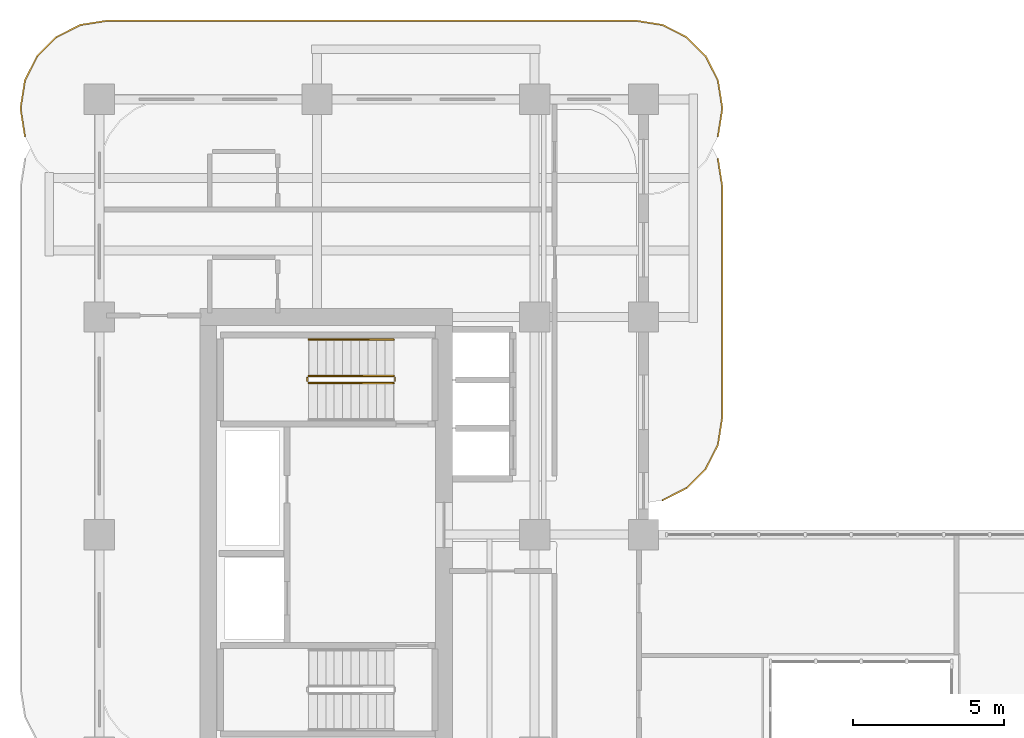
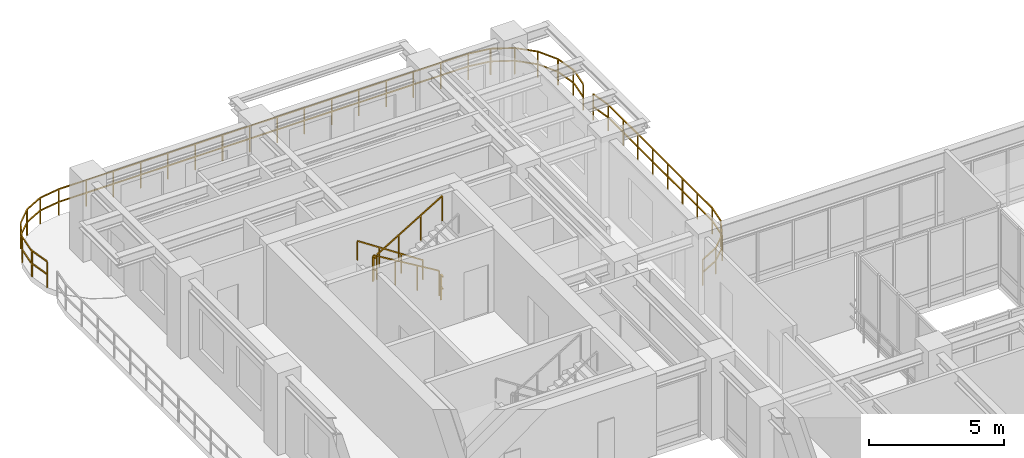
# One storey, part 20 of 20: 7 railings.
"""IFC4 building model written with IfcOpenShell, lengths in metres."""

from ifc_helpers import new_model, si_unit, derived_unit, direction, frame, origin, origin_2d, place, context, subcontext, project, spatial, rectangle, extrude, material, type_object, element, save


model = new_model("IFC4")

# Units and contexts
model_context = context("Model", 3, precision=1e-05, world=origin(), true_north=direction((0.0, 1.0)))
body_context = subcontext(model_context, "Body", "Model", "MODEL_VIEW")
ifc_project = project(units=[si_unit("LENGTHUNIT", "METRE"), si_unit("AREAUNIT", "SQUARE_METRE"), si_unit("VOLUMEUNIT", "CUBIC_METRE"), si_unit("PLANEANGLEUNIT", "RADIAN"), si_unit("MASSUNIT", "GRAM", prefix="KILO"), si_unit("THERMODYNAMICTEMPERATUREUNIT", "KELVIN"), si_unit("POWERUNIT", "WATT"), derived_unit("THERMALTRANSMITTANCEUNIT", [(si_unit("POWERUNIT", "WATT"), 1), (si_unit("AREAUNIT", "SQUARE_METRE"), -1), (si_unit("THERMODYNAMICTEMPERATUREUNIT", "KELVIN"), -1)])], contexts=[model_context])

# Site, building, storey
site_placement = place(None, origin())
site = spatial("IfcSite", under=ifc_project, at=site_placement, CompositionType="ELEMENT")
building_placement = place(site_placement, origin())
building = spatial("IfcBuilding", under=site, at=building_placement, Name="Zahravan Archway Hotel and Residences", CompositionType="ELEMENT")
storey_placement = place(building_placement, frame((0.0, 0.0, 122.89990234375)))
storey = spatial("IfcBuildingStorey", under=building, at=storey_placement, Name="L30", CompositionType="ELEMENT", Elevation=122.89990234375)

# Railings
ifc_material_1 = material(Name="Bronze & Laminated Glass Balustrade", Category="glass")
railing_type_1 = type_object("IfcRailingType", Name="RL-BAL-1200", PredefinedType="BALUSTRADE", material=ifc_material_1)
railing_1_placement = place(storey_placement, frame((-2.46044921875, 45.5693359375, 0.0)))
element("IfcRailing", 1, at=railing_1_placement, inside=storey, type_object=railing_type_1, Name="L30 Balustrade RL-SLB-BAL-L30-NB-1", PredefinedType="BALUSTRADE", context=body_context, shape_type="SweptSolid", body=[
    extrude(rectangle(XDim=0.048095703125, YDim=0.048095703125, at=origin_2d()), frame((0.0, 0.0, 1.17578125), z_axis=(-0.156623399917, 0.987658397726, 0.0), x_axis=(-0.987658397726, -0.156623399917, 0.0)), (0.0, 0.0, 1.0), 0.8916015625),
    extrude(rectangle(XDim=0.048095703125, YDim=0.048095703125, at=origin_2d()), frame((0.0, 0.0, 0.60009765625), z_axis=(-0.156623399917, 0.987658397726, 0.0), x_axis=(-0.987658397726, -0.156623399917, 0.0)), (0.0, 0.0, 1.0), 0.8916015625),
    extrude(rectangle(XDim=0.048095703125, YDim=0.048095703125, at=origin_2d()), frame((-0.1396484375, 0.880615234375, 1.17578125), z_axis=(0.0, 1.0, 0.0), x_axis=(-1.0, 0.0, 0.0)), (0.0, 0.0, 1.0), 0.10009765625),
    extrude(rectangle(XDim=0.048095703125, YDim=0.048095703125, at=origin_2d()), frame((-0.1396484375, 0.880615234375, 0.60009765625), z_axis=(0.0, 1.0, 0.0), x_axis=(-1.0, 0.0, 0.0)), (0.0, 0.0, 1.0), 0.10009765625),
    extrude(rectangle(XDim=0.048095703125, YDim=0.048095703125, at=origin_2d()), frame((-0.1396484375, 0.980712890625, 1.17578125), z_axis=(0.156623399917, 0.987658397726, 0.0), x_axis=(-0.987658397726, 0.156623399917, 0.0)), (0.0, 0.0, 1.0), 0.8916015625),
    extrude(rectangle(XDim=0.048095703125, YDim=0.048095703125, at=origin_2d()), frame((-0.1396484375, 0.980712890625, 0.60009765625), z_axis=(0.156623399917, 0.987658397726, 0.0), x_axis=(-0.987658397726, 0.156623399917, 0.0)), (0.0, 0.0, 1.0), 0.8916015625),
    extrude(rectangle(XDim=0.048095703125, YDim=0.048095703125, at=origin_2d()), frame((0.0, 1.861328125, 1.17578125), z_axis=(0.453991409995, 0.891006060389, 0.0), x_axis=(-0.891006060389, 0.453991409995, 0.0)), (0.0, 0.0, 1.0), 0.8916015625),
    extrude(rectangle(XDim=0.048095703125, YDim=0.048095703125, at=origin_2d()), frame((0.0, 1.861328125, 0.60009765625), z_axis=(0.453991409995, 0.891006060389, 0.0), x_axis=(-0.891006060389, 0.453991409995, 0.0)), (0.0, 0.0, 1.0), 0.8916015625),
    extrude(rectangle(XDim=0.048095703125, YDim=0.048095703125, at=origin_2d()), frame((0.40478515625, 2.65576171875, 1.17578125), z_axis=(0.706969864397, 0.70724367147, 0.0), x_axis=(-0.70724367147, 0.706969864397, 0.0)), (0.0, 0.0, 1.0), 0.8916015625),
    extrude(rectangle(XDim=0.048095703125, YDim=0.048095703125, at=origin_2d()), frame((0.40478515625, 2.65576171875, 0.60009765625), z_axis=(0.706969864397, 0.70724367147, 0.0), x_axis=(-0.70724367147, 0.706969864397, 0.0)), (0.0, 0.0, 1.0), 0.8916015625),
    extrude(rectangle(XDim=0.048095703125, YDim=0.048095703125, at=origin_2d()), frame((1.03515625, 3.286376953125, 1.17578125), z_axis=(0.891062476022, 0.45388067135, 0.0), x_axis=(-0.45388067135, 0.891062476022, 0.0)), (0.0, 0.0, 1.0), 0.891845703125),
    extrude(rectangle(XDim=0.048095703125, YDim=0.048095703125, at=origin_2d()), frame((1.03515625, 3.286376953125, 0.60009765625), z_axis=(0.891062476022, 0.45388067135, 0.0), x_axis=(-0.45388067135, 0.891062476022, 0.0)), (0.0, 0.0, 1.0), 0.891845703125),
    extrude(rectangle(XDim=0.048095703125, YDim=0.048095703125, at=origin_2d()), frame((1.829833984375, 3.691162109375, 1.17578125), z_axis=(0.987700720307, 0.156356282588, 0.0), x_axis=(-0.156356282588, 0.987700720307, 0.0)), (0.0, 0.0, 1.0), 0.8916015625),
    extrude(rectangle(XDim=0.048095703125, YDim=0.048095703125, at=origin_2d()), frame((1.829833984375, 3.691162109375, 0.60009765625), z_axis=(0.987700720307, 0.156356282588, 0.0), x_axis=(-0.156356282588, 0.987700720307, 0.0)), (0.0, 0.0, 1.0), 0.8916015625),
    extrude(rectangle(XDim=0.048095703125, YDim=0.048095703125, at=origin_2d()), frame((2.71044921875, 3.83056640625, 1.17578125), z_axis=(1.0, 0.0, 0.0), x_axis=(0.0, 1.0, 0.0)), (0.0, 0.0, 1.0), 17.5),
    extrude(rectangle(XDim=0.048095703125, YDim=0.048095703125, at=origin_2d()), frame((2.71044921875, 3.83056640625, 0.60009765625), z_axis=(1.0, 0.0, 0.0), x_axis=(0.0, 1.0, 0.0)), (0.0, 0.0, 1.0), 17.5),
    extrude(rectangle(XDim=0.048095703125, YDim=0.048095703125, at=origin_2d()), frame((20.21044921875, 3.83056640625, 1.17578125), z_axis=(0.987700720307, -0.156356282588, 0.0), x_axis=(0.156356282588, 0.987700720307, 0.0)), (0.0, 0.0, 1.0), 0.8916015625),
    extrude(rectangle(XDim=0.048095703125, YDim=0.048095703125, at=origin_2d()), frame((20.21044921875, 3.83056640625, 0.60009765625), z_axis=(0.987700720307, -0.156356282588, 0.0), x_axis=(0.156356282588, 0.987700720307, 0.0)), (0.0, 0.0, 1.0), 0.8916015625),
    extrude(rectangle(XDim=0.048095703125, YDim=0.048095703125, at=origin_2d()), frame((21.091064453125, 3.691162109375, 1.17578125), z_axis=(0.891062476022, -0.45388067135, 0.0), x_axis=(0.45388067135, 0.891062476022, 0.0)), (0.0, 0.0, 1.0), 0.891845703125),
    extrude(rectangle(XDim=0.048095703125, YDim=0.048095703125, at=origin_2d()), frame((21.091064453125, 3.691162109375, 0.60009765625), z_axis=(0.891062476022, -0.45388067135, 0.0), x_axis=(0.45388067135, 0.891062476022, 0.0)), (0.0, 0.0, 1.0), 0.891845703125),
    extrude(rectangle(XDim=0.048095703125, YDim=0.048095703125, at=origin_2d()), frame((21.8857421875, 3.286376953125, 1.17578125), z_axis=(0.706969864397, -0.70724367147, 0.0), x_axis=(0.70724367147, 0.706969864397, 0.0)), (0.0, 0.0, 1.0), 0.8916015625),
    extrude(rectangle(XDim=0.048095703125, YDim=0.048095703125, at=origin_2d()), frame((21.8857421875, 3.286376953125, 0.60009765625), z_axis=(0.706969864397, -0.70724367147, 0.0), x_axis=(0.70724367147, 0.706969864397, 0.0)), (0.0, 0.0, 1.0), 0.8916015625),
    extrude(rectangle(XDim=0.048095703125, YDim=0.048095703125, at=origin_2d()), frame((22.51611328125, 2.65576171875, 1.17578125), z_axis=(0.453991409995, -0.891006060389, 0.0), x_axis=(0.891006060389, 0.453991409995, 0.0)), (0.0, 0.0, 1.0), 0.8916015625),
    extrude(rectangle(XDim=0.048095703125, YDim=0.048095703125, at=origin_2d()), frame((22.51611328125, 2.65576171875, 0.60009765625), z_axis=(0.453991409995, -0.891006060389, 0.0), x_axis=(0.891006060389, 0.453991409995, 0.0)), (0.0, 0.0, 1.0), 0.8916015625),
    extrude(rectangle(XDim=0.048095703125, YDim=0.048095703125, at=origin_2d()), frame((22.9208984375, 1.861328125, 1.17578125), z_axis=(0.156623399917, -0.987658397726, 0.0), x_axis=(0.987658397726, 0.156623399917, 0.0)), (0.0, 0.0, 1.0), 0.8916015625),
    extrude(rectangle(XDim=0.048095703125, YDim=0.048095703125, at=origin_2d()), frame((22.9208984375, 1.861328125, 0.60009765625), z_axis=(0.156623399917, -0.987658397726, 0.0), x_axis=(0.987658397726, 0.156623399917, 0.0)), (0.0, 0.0, 1.0), 0.8916015625),
    extrude(rectangle(XDim=0.048095703125, YDim=0.048095703125, at=origin_2d()), frame((23.060546875, 0.980712890625, 1.17578125), z_axis=(0.0, -1.0, 0.0), x_axis=(1.0, 0.0, 0.0)), (0.0, 0.0, 1.0), 0.10009765625),
    extrude(rectangle(XDim=0.048095703125, YDim=0.048095703125, at=origin_2d()), frame((23.060546875, 0.980712890625, 0.60009765625), z_axis=(0.0, -1.0, 0.0), x_axis=(1.0, 0.0, 0.0)), (0.0, 0.0, 1.0), 0.10009765625),
    extrude(rectangle(XDim=0.048095703125, YDim=0.048095703125, at=origin_2d()), frame((23.060546875, 0.880615234375, 1.17578125), z_axis=(-0.156623399917, -0.987658397726, 0.0), x_axis=(0.987658397726, -0.156623399917, 0.0)), (0.0, 0.0, 1.0), 0.8916015625),
    extrude(rectangle(XDim=0.048095703125, YDim=0.048095703125, at=origin_2d()), frame((23.060546875, 0.880615234375, 0.60009765625), z_axis=(-0.156623399917, -0.987658397726, 0.0), x_axis=(0.987658397726, -0.156623399917, 0.0)), (0.0, 0.0, 1.0), 0.8916015625),
    extrude(rectangle(XDim=0.0419921875, YDim=0.0419921875, at=origin_2d()), origin(), (0.0, 0.0, 1.0), 1.15185546875),
    extrude(rectangle(XDim=0.0419921875, YDim=0.0419921875, at=origin_2d()), frame((-0.1396484375, 0.880615234375, 0.0)), (0.0, 0.0, 1.0), 1.15185546875),
    extrude(rectangle(XDim=0.0419921875, YDim=0.0419921875, at=origin_2d()), frame((0.0, 1.861328125, 0.0)), (0.0, 0.0, 1.0), 1.15185546875),
    extrude(rectangle(XDim=0.0419921875, YDim=0.0419921875, at=origin_2d()), frame((0.40478515625, 2.65576171875, 0.0)), (0.0, 0.0, 1.0), 1.15185546875),
    extrude(rectangle(XDim=0.0419921875, YDim=0.0419921875, at=origin_2d()), frame((1.03515625, 3.286376953125, 0.0)), (0.0, 0.0, 1.0), 1.15185546875),
    extrude(rectangle(XDim=0.0419921875, YDim=0.0419921875, at=origin_2d()), frame((1.829833984375, 3.691162109375, 0.0)), (0.0, 0.0, 1.0), 1.15185546875),
    extrude(rectangle(XDim=0.0419921875, YDim=0.0419921875, at=origin_2d()), frame((2.71044921875, 3.83056640625, 0.0)), (0.0, 0.0, 1.0), 1.15185546875),
    extrude(rectangle(XDim=0.0419921875, YDim=0.0419921875, at=origin_2d()), frame((3.877197265625, 3.83056640625, 0.0)), (0.0, 0.0, 1.0), 1.15185546875),
    extrude(rectangle(XDim=0.0419921875, YDim=0.0419921875, at=origin_2d()), frame((5.043701171875, 3.83056640625, 0.0)), (0.0, 0.0, 1.0), 1.15185546875),
    extrude(rectangle(XDim=0.0419921875, YDim=0.0419921875, at=origin_2d()), frame((6.21044921875, 3.83056640625, 0.0)), (0.0, 0.0, 1.0), 1.15185546875),
    extrude(rectangle(XDim=0.0419921875, YDim=0.0419921875, at=origin_2d()), frame((7.377197265625, 3.83056640625, 0.0)), (0.0, 0.0, 1.0), 1.15185546875),
    extrude(rectangle(XDim=0.0419921875, YDim=0.0419921875, at=origin_2d()), frame((8.543701171875, 3.83056640625, 0.0)), (0.0, 0.0, 1.0), 1.15185546875),
    extrude(rectangle(XDim=0.0419921875, YDim=0.0419921875, at=origin_2d()), frame((9.71044921875, 3.83056640625, 0.0)), (0.0, 0.0, 1.0), 1.15185546875),
    extrude(rectangle(XDim=0.0419921875, YDim=0.0419921875, at=origin_2d()), frame((10.877197265625, 3.83056640625, 0.0)), (0.0, 0.0, 1.0), 1.15185546875),
    extrude(rectangle(XDim=0.0419921875, YDim=0.0419921875, at=origin_2d()), frame((12.043701171875, 3.83056640625, 0.0)), (0.0, 0.0, 1.0), 1.15185546875),
    extrude(rectangle(XDim=0.0419921875, YDim=0.0419921875, at=origin_2d()), frame((13.21044921875, 3.83056640625, 0.0)), (0.0, 0.0, 1.0), 1.15185546875),
    extrude(rectangle(XDim=0.0419921875, YDim=0.0419921875, at=origin_2d()), frame((14.377197265625, 3.83056640625, 0.0)), (0.0, 0.0, 1.0), 1.15185546875),
    extrude(rectangle(XDim=0.0419921875, YDim=0.0419921875, at=origin_2d()), frame((15.543701171875, 3.83056640625, 0.0)), (0.0, 0.0, 1.0), 1.15185546875),
    extrude(rectangle(XDim=0.0419921875, YDim=0.0419921875, at=origin_2d()), frame((16.71044921875, 3.83056640625, 0.0)), (0.0, 0.0, 1.0), 1.15185546875),
    extrude(rectangle(XDim=0.0419921875, YDim=0.0419921875, at=origin_2d()), frame((17.877197265625, 3.83056640625, 0.0)), (0.0, 0.0, 1.0), 1.15185546875),
    extrude(rectangle(XDim=0.0419921875, YDim=0.0419921875, at=origin_2d()), frame((19.043701171875, 3.83056640625, 0.0)), (0.0, 0.0, 1.0), 1.15185546875),
    extrude(rectangle(XDim=0.0419921875, YDim=0.0419921875, at=origin_2d()), frame((20.21044921875, 3.83056640625, 0.0)), (0.0, 0.0, 1.0), 1.15185546875),
    extrude(rectangle(XDim=0.0419921875, YDim=0.0419921875, at=origin_2d()), frame((21.091064453125, 3.691162109375, 0.0)), (0.0, 0.0, 1.0), 1.15185546875),
    extrude(rectangle(XDim=0.0419921875, YDim=0.0419921875, at=origin_2d()), frame((21.8857421875, 3.286376953125, 0.0)), (0.0, 0.0, 1.0), 1.15185546875),
    extrude(rectangle(XDim=0.0419921875, YDim=0.0419921875, at=origin_2d()), frame((22.51611328125, 2.65576171875, 0.0)), (0.0, 0.0, 1.0), 1.15185546875),
    extrude(rectangle(XDim=0.0419921875, YDim=0.0419921875, at=origin_2d()), frame((22.9208984375, 1.861328125, 0.0)), (0.0, 0.0, 1.0), 1.15185546875),
    extrude(rectangle(XDim=0.0419921875, YDim=0.0419921875, at=origin_2d()), frame((23.060546875, 0.980712890625, 0.0)), (0.0, 0.0, 1.0), 1.15185546875),
    extrude(rectangle(XDim=0.0419921875, YDim=0.0419921875, at=origin_2d()), frame((22.9208984375, 0.0, 0.0)), (0.0, 0.0, 1.0), 1.15185546875),
])
railing_2_placement = place(storey_placement, frame((20.46044921875, 44.830810546875, 0.0)))
element("IfcRailing", 2, at=railing_2_placement, inside=storey, type_object=railing_type_1, Name="L30 Balustrade RL-SLB-BAL-L30-EB-1", PredefinedType="BALUSTRADE", context=body_context, shape_type="SweptSolid", body=[
    extrude(rectangle(XDim=0.048095703125, YDim=0.048095703125, at=origin_2d()), frame((0.0, 0.0, 1.17578125), z_axis=(0.156581054338, -0.98766511198, 0.0), x_axis=(0.98766511198, 0.156581054338, 0.0)), (0.0, 0.0, 1.0), 0.891845703125),
    extrude(rectangle(XDim=0.048095703125, YDim=0.048095703125, at=origin_2d()), frame((0.0, 0.0, 0.60009765625), z_axis=(0.156581054338, -0.98766511198, 0.0), x_axis=(0.98766511198, 0.156581054338, 0.0)), (0.0, 0.0, 1.0), 0.891845703125),
    extrude(rectangle(XDim=0.048095703125, YDim=0.048095703125, at=origin_2d()), frame((0.1396484375, -0.880859375, 1.17578125), z_axis=(0.0, -1.0, 0.0), x_axis=(1.0, 0.0, 0.0)), (0.0, 0.0, 1.0), 7.699951171875),
    extrude(rectangle(XDim=0.048095703125, YDim=0.048095703125, at=origin_2d()), frame((0.1396484375, -0.880859375, 0.60009765625), z_axis=(0.0, -1.0, 0.0), x_axis=(1.0, 0.0, 0.0)), (0.0, 0.0, 1.0), 7.699951171875),
    extrude(rectangle(XDim=0.048095703125, YDim=0.048095703125, at=origin_2d()), frame((0.1396484375, -8.580810546875, 1.17578125), z_axis=(-0.156623399917, -0.987658397726, 0.0), x_axis=(0.987658397726, -0.156623399917, 0.0)), (0.0, 0.0, 1.0), 0.8916015625),
    extrude(rectangle(XDim=0.048095703125, YDim=0.048095703125, at=origin_2d()), frame((0.1396484375, -8.580810546875, 0.60009765625), z_axis=(-0.156623399917, -0.987658397726, 0.0), x_axis=(0.987658397726, -0.156623399917, 0.0)), (0.0, 0.0, 1.0), 0.8916015625),
    extrude(rectangle(XDim=0.048095703125, YDim=0.048095703125, at=origin_2d()), frame((0.0, -9.46142578125, 1.17578125), z_axis=(-0.45388067135, -0.891062476022, 0.0), x_axis=(0.891062476022, -0.45388067135, 0.0)), (0.0, 0.0, 1.0), 0.891845703125),
    extrude(rectangle(XDim=0.048095703125, YDim=0.048095703125, at=origin_2d()), frame((0.0, -9.46142578125, 0.60009765625), z_axis=(-0.45388067135, -0.891062476022, 0.0), x_axis=(0.891062476022, -0.45388067135, 0.0)), (0.0, 0.0, 1.0), 0.891845703125),
    extrude(rectangle(XDim=0.048095703125, YDim=0.048095703125, at=origin_2d()), frame((-0.40478515625, -10.256103515625, 1.17578125), z_axis=(-0.707106781187, -0.707106781187, 0.0), x_axis=(0.707106781187, -0.707106781187, 0.0)), (0.0, 0.0, 1.0), 0.891357421875),
    extrude(rectangle(XDim=0.048095703125, YDim=0.048095703125, at=origin_2d()), frame((-0.40478515625, -10.256103515625, 0.60009765625), z_axis=(-0.707106781187, -0.707106781187, 0.0), x_axis=(0.707106781187, -0.707106781187, 0.0)), (0.0, 0.0, 1.0), 0.891357421875),
    extrude(rectangle(XDim=0.048095703125, YDim=0.048095703125, at=origin_2d()), frame((-1.03515625, -10.886474609375, 1.17578125), z_axis=(-0.891062476022, -0.45388067135, 0.0), x_axis=(0.45388067135, -0.891062476022, 0.0)), (0.0, 0.0, 1.0), 0.891845703125),
    extrude(rectangle(XDim=0.048095703125, YDim=0.048095703125, at=origin_2d()), frame((-1.03515625, -10.886474609375, 0.60009765625), z_axis=(-0.891062476022, -0.45388067135, 0.0), x_axis=(0.45388067135, -0.891062476022, 0.0)), (0.0, 0.0, 1.0), 0.891845703125),
    extrude(rectangle(XDim=0.0419921875, YDim=0.0419921875, at=origin_2d()), origin(), (0.0, 0.0, 1.0), 1.15185546875),
    extrude(rectangle(XDim=0.0419921875, YDim=0.0419921875, at=origin_2d()), frame((0.1396484375, -0.880859375, 0.0)), (0.0, 0.0, 1.0), 1.15185546875),
    extrude(rectangle(XDim=0.0419921875, YDim=0.0419921875, at=origin_2d()), frame((0.1396484375, -1.98095703125, 0.0)), (0.0, 0.0, 1.0), 1.15185546875),
    extrude(rectangle(XDim=0.0419921875, YDim=0.0419921875, at=origin_2d()), frame((0.1396484375, -3.080810546875, 0.0)), (0.0, 0.0, 1.0), 1.15185546875),
    extrude(rectangle(XDim=0.0419921875, YDim=0.0419921875, at=origin_2d()), frame((0.1396484375, -4.180908203125, 0.0)), (0.0, 0.0, 1.0), 1.15185546875),
    extrude(rectangle(XDim=0.0419921875, YDim=0.0419921875, at=origin_2d()), frame((0.1396484375, -5.28076171875, 0.0)), (0.0, 0.0, 1.0), 1.15185546875),
    extrude(rectangle(XDim=0.0419921875, YDim=0.0419921875, at=origin_2d()), frame((0.1396484375, -6.380859375, 0.0)), (0.0, 0.0, 1.0), 1.15185546875),
    extrude(rectangle(XDim=0.0419921875, YDim=0.0419921875, at=origin_2d()), frame((0.1396484375, -7.480712890625, 0.0)), (0.0, 0.0, 1.0), 1.15185546875),
    extrude(rectangle(XDim=0.0419921875, YDim=0.0419921875, at=origin_2d()), frame((0.1396484375, -8.580810546875, 0.0)), (0.0, 0.0, 1.0), 1.15185546875),
    extrude(rectangle(XDim=0.0419921875, YDim=0.0419921875, at=origin_2d()), frame((0.0, -9.46142578125, 0.0)), (0.0, 0.0, 1.0), 1.15185546875),
    extrude(rectangle(XDim=0.0419921875, YDim=0.0419921875, at=origin_2d()), frame((-0.40478515625, -10.256103515625, 0.0)), (0.0, 0.0, 1.0), 1.15185546875),
    extrude(rectangle(XDim=0.0419921875, YDim=0.0419921875, at=origin_2d()), frame((-1.03515625, -10.886474609375, 0.0)), (0.0, 0.0, 1.0), 1.15185546875),
    extrude(rectangle(XDim=0.0419921875, YDim=0.0419921875, at=origin_2d()), frame((-1.829833984375, -11.291259765625, 0.0)), (0.0, 0.0, 1.0), 1.15185546875),
])
ifc_material_2 = material(Name="Painted Tubular Steel", Category="steel")
railing_type_2 = type_object("IfcRailingType", Name="RL-STG-1150", PredefinedType="GUARDRAIL", material=ifc_material_2)
railing_3_placement = place(storey_placement, frame((9.72998046875, 37.64990234375, 0.168212890625)))
element("IfcRailing", 3, at=railing_3_placement, inside=storey, type_object=railing_type_2, Name="L30 ST-B2 stair guard 1", PredefinedType="GUARDRAIL", context=body_context, shape_type="SweptSolid", body=[
    extrude(rectangle(XDim=0.048095703125, YDim=0.048095703125, at=origin_2d()), frame((0.0, 0.0, 1.1259765625), z_axis=(-0.857242210791, 0.0, 0.514913383045), x_axis=(0.0, -1.0, 0.0)), (0.0, 0.0, 1.0), 3.266357421875),
    extrude(rectangle(XDim=0.0419921875, YDim=0.0419921875, at=origin_2d()), origin(), (0.0, 0.0, 1.0), 1.101806640625),
    extrude(rectangle(XDim=0.0419921875, YDim=0.0419921875, at=origin_2d()), frame((-0.933349609375, 0.0, 0.560546875)), (0.0, 0.0, 1.0), 1.101806640625),
    extrude(rectangle(XDim=0.0419921875, YDim=0.0419921875, at=origin_2d()), frame((-1.86669921875, 0.0, 1.121337890625)), (0.0, 0.0, 1.0), 1.101806640625),
    extrude(rectangle(XDim=0.0419921875, YDim=0.0419921875, at=origin_2d()), frame((-2.800048828125, 0.0, 1.681884765625)), (0.0, 0.0, 1.0), 1.101806640625),
])
railing_4_placement = place(storey_placement, frame((6.8798828125, 37.60009765625, 1.85009765625)))
element("IfcRailing", 4, at=railing_4_placement, inside=storey, type_object=railing_type_2, Name="L30 ST-B2 stair guard 2", PredefinedType="GUARDRAIL", context=body_context, shape_type="SweptSolid", body=[
    extrude(rectangle(XDim=0.048095703125, YDim=0.048095703125, at=origin_2d()), frame((0.0, 0.0, 1.1259765625), z_axis=(0.0, -1.0, 0.0), x_axis=(1.0, 0.0, 0.0)), (0.0, 0.0, 1.0), 0.14013671875),
    extrude(rectangle(XDim=0.048095703125, YDim=0.048095703125, at=origin_2d()), frame((0.0, 0.0, 0.574951171875), z_axis=(0.0, -1.0, 0.0), x_axis=(1.0, 0.0, 0.0)), (0.0, 0.0, 1.0), 0.14013671875),
    extrude(rectangle(XDim=0.0419921875, YDim=0.0419921875, at=origin_2d()), origin(), (0.0, 0.0, 1.0), 1.101806640625),
])
railing_5_placement = place(storey_placement, frame((6.929931640625, 37.409912109375, 2.018310546875)))
element("IfcRailing", 5, at=railing_5_placement, inside=storey, type_object=railing_type_2, Name="L30 ST-B2 stair guard 3", PredefinedType="GUARDRAIL", context=body_context, shape_type="SweptSolid", body=[
    extrude(rectangle(XDim=0.048095703125, YDim=0.048095703125, at=origin_2d()), frame((0.0, 0.0, 1.1259765625), z_axis=(0.857242210791, 0.0, 0.514913383045), x_axis=(0.0, 1.0, 0.0)), (0.0, 0.0, 1.0), 3.266357421875),
    extrude(rectangle(XDim=0.0419921875, YDim=0.0419921875, at=origin_2d()), origin(), (0.0, 0.0, 1.0), 1.101806640625),
    extrude(rectangle(XDim=0.0419921875, YDim=0.0419921875, at=origin_2d()), frame((0.933349609375, 0.0, 0.560546875)), (0.0, 0.0, 1.0), 1.101806640625),
    extrude(rectangle(XDim=0.0419921875, YDim=0.0419921875, at=origin_2d()), frame((1.86669921875, 0.0, 1.121337890625)), (0.0, 0.0, 1.0), 1.101806640625),
    extrude(rectangle(XDim=0.0419921875, YDim=0.0419921875, at=origin_2d()), frame((2.800048828125, 0.0, 1.681884765625)), (0.0, 0.0, 1.0), 1.101806640625),
])
railing_6_placement = place(storey_placement, frame((9.780029296875, 37.60009765625, 0.0)))
element("IfcRailing", 6, at=railing_6_placement, inside=storey, type_object=railing_type_2, Name="L30 ST-B2 stair guard 4", PredefinedType="GUARDRAIL", context=body_context, shape_type="SweptSolid", body=[
    extrude(rectangle(XDim=0.048095703125, YDim=0.048095703125, at=origin_2d()), frame((0.0, 0.0, 1.1259765625), z_axis=(0.0, -1.0, 0.0), x_axis=(1.0, 0.0, 0.0)), (0.0, 0.0, 1.0), 0.14013671875),
    extrude(rectangle(XDim=0.048095703125, YDim=0.048095703125, at=origin_2d()), frame((0.0, 0.0, 0.574951171875), z_axis=(0.0, -1.0, 0.0), x_axis=(1.0, 0.0, 0.0)), (0.0, 0.0, 1.0), 0.14013671875),
    extrude(rectangle(XDim=0.0419921875, YDim=0.0419921875, at=origin_2d()), origin(), (0.0, 0.0, 1.0), 1.101806640625),
])
ifc_material_3 = material(Name="Brushed Stainless Steel", Category="steel")
railing_type_3 = type_object("IfcRailingType", Name="RL-STH-900", PredefinedType="HANDRAIL", material=ifc_material_3)
railing_7_placement = place(storey_placement, frame((9.72998046875, 38.85009765625, 0.168212890625)))
element("IfcRailing", 7, at=railing_7_placement, inside=storey, type_object=railing_type_3, Name="L30 ST-B2 stair handrail 1", PredefinedType="HANDRAIL", context=body_context, shape_type="SweptSolid", body=[
    extrude(rectangle(XDim=0.048095703125, YDim=0.048095703125, at=origin_2d()), frame((0.0, 0.0, 0.8759765625), z_axis=(-0.834326358476, 0.0, 0.551270829586), x_axis=(0.0, -1.0, 0.0)), (0.0, 0.0, 1.0), 3.35595703125),
    extrude(rectangle(XDim=0.0419921875, YDim=0.0419921875, at=origin_2d()), origin(), (0.0, 0.0, 1.0), 0.851806640625),
    extrude(rectangle(XDim=0.0419921875, YDim=0.0419921875, at=origin_2d()), frame((-0.933349609375, 0.0, 0.61669921875)), (0.0, 0.0, 1.0), 0.851806640625),
    extrude(rectangle(XDim=0.0419921875, YDim=0.0419921875, at=origin_2d()), frame((-1.86669921875, 0.0, 1.2333984375)), (0.0, 0.0, 1.0), 0.851806640625),
    extrude(rectangle(XDim=0.0419921875, YDim=0.0419921875, at=origin_2d()), frame((-2.800048828125, 0.0, 1.85009765625)), (0.0, 0.0, 1.0), 0.851806640625),
])

save(model, "model.ifc")
